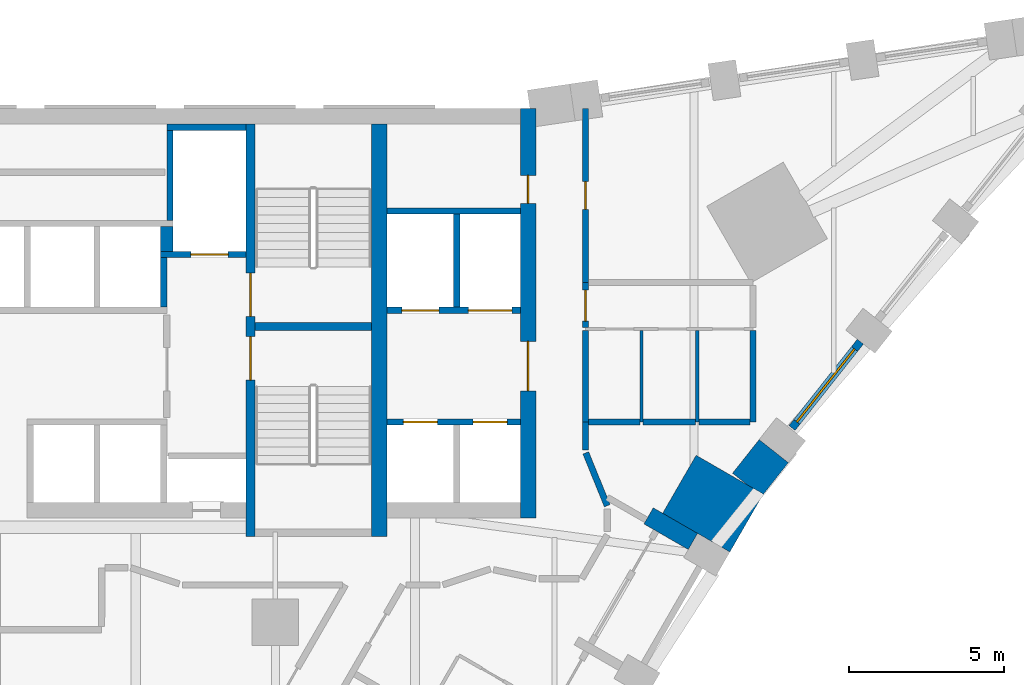
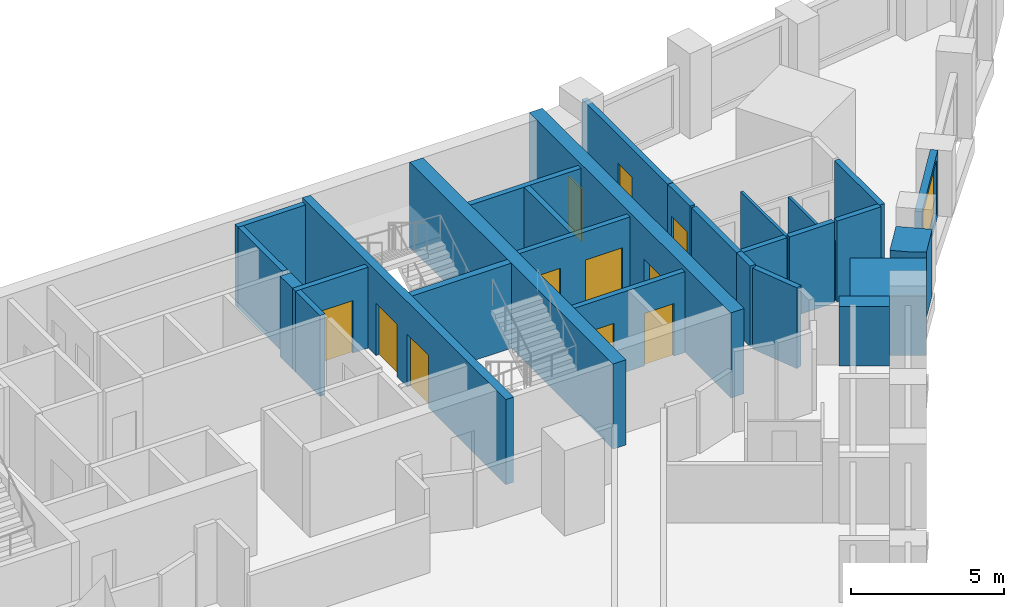
# One storey, part 8 of 11: 28 walls, 11 doors, 1 window, 12 openings.
"""IFC4 building model written with IfcOpenShell, lengths in metres."""

from ifc_helpers import new_model, si_unit, direction, frame, frame_2d, origin, place, context, subcontext, project, spatial, polyline, rectangle, outline, extrude, material, layer, layer_set, type_object, element, fill, save


model = new_model("IFC4")

# Units and contexts
model_context = context("Model", 3, precision=1e-05, world=origin(), true_north=direction((0.0, 1.0)))
body_context = subcontext(model_context, "Body", "Model", "MODEL_VIEW")
ifc_project = project(units=[si_unit("LENGTHUNIT", "METRE"), si_unit("AREAUNIT", "SQUARE_METRE"), si_unit("VOLUMEUNIT", "CUBIC_METRE"), si_unit("PLANEANGLEUNIT", "RADIAN"), si_unit("MASSUNIT", "GRAM", prefix="KILO")], contexts=[model_context])

# Site, building, storey
site_placement = place(None, origin())
site = spatial("IfcSite", under=ifc_project, at=site_placement, CompositionType="ELEMENT")
building_placement = place(site_placement, origin())
building = spatial("IfcBuilding", under=site, at=building_placement, Name="Calabash Gate Tower", CompositionType="ELEMENT")
storey_placement = place(building_placement, frame((0.0, 0.0, 129.199951171875)))
storey = spatial("IfcBuildingStorey", under=building, at=storey_placement, Name="L30", CompositionType="ELEMENT", Elevation=129.199951171875)

# Walls
ifc_material_1 = material(Name="Terracotta brick masonry, exposed face", Category="masonry")
ifc_layer_1 = layer(ifc_material_1, 2.5)
ifc_layer_set_1 = layer_set([ifc_layer_1], Name="Brick corner mass wall 2500")
wall_type_1 = type_object("IfcWallType", Name="Brick corner mass wall 2500", PredefinedType="SOLIDWALL", material=ifc_layer_set_1)
wall_1_placement = place(storey_placement, origin())
element("IfcWall", 1, at=wall_1_placement, inside=storey, type_object=wall_type_1, Name="Brick corner pier S08 2", PredefinedType="SOLIDWALL", context=body_context, shape_type="SweptSolid", body=[
    extrude(outline(polyline([(22.564697265625, 7.878173828125), (21.486083984375, 6.01025390625), (22.612060546875, 5.360107421875), (22.6123046875, 5.360595703125), (23.651611328125, 4.7607421875), (24.729736328125, 6.628173828125), (22.564697265625, 7.878173828125)])), origin(), (0.0, 0.0, 1.0), 2.384033203125),
])
ifc_material_2 = material(Name="Terracotta brick masonry, exposed face", Category="masonry")
ifc_layer_2 = layer(ifc_material_2, 1.199951171875)
ifc_layer_set_2 = layer_set([ifc_layer_2], Name="Brick end wall 1200")
wall_type_2 = type_object("IfcWallType", Name="Brick end wall 1200", PredefinedType="SOLIDWALL", material=ifc_layer_set_2)
wall_2_placement = place(storey_placement, origin())
element("IfcWall", 2, at=wall_2_placement, inside=storey, type_object=wall_type_2, Name="Brick end wall S08 1", PredefinedType="SOLIDWALL", context=body_context, shape_type="SweptSolid", body=[
    extrude(outline(polyline([(24.5966796875, 8.38427734375), (23.739501953125, 7.30029296875), (24.2099609375, 6.92822265625), (24.729736328125, 6.628173828125), (24.707763671875, 6.59033203125), (25.537841796875, 7.639892578125), (24.5966796875, 8.38427734375)])), origin(), (0.0, 0.0, 1.0), 2.630126953125),
])
ifc_material_3 = material(Name="Terracotta brick masonry, exposed face", Category="masonry")
ifc_layer_3 = layer(ifc_material_3, 0.300048828125)
ifc_layer_set_3 = layer_set([ifc_layer_3], Name="Brick loggia cheek wall 300")
wall_type_3 = type_object("IfcWallType", Name="Brick loggia cheek wall 300", PredefinedType="SOLIDWALL", material=ifc_layer_set_3)
wall_3_placement = place(storey_placement, frame((21.032958984375, 5.92529296875, 0.0), z_axis=(0.0, 0.0, 1.0), x_axis=(0.866040211805, -0.499974350878, 0.0)))
element("IfcWall", 3, at=wall_3_placement, inside=storey, type_object=wall_type_3, Name="Loggia cheek S08 SE2.8", PredefinedType="SOLIDWALL", context=body_context, shape_type="SweptSolid", body=[
    extrude(rectangle(XDim=1.64990234375, YDim=0.60009765625, at=frame_2d((0.824951171875, 0.0))), origin(), (0.0, 0.0, 1.0), 2.384033203125),
])
ifc_material_4 = material(Name="Concrete C80/95", Category="concrete")
ifc_layer_4 = layer(ifc_material_4, 0.25)
ifc_layer_set_4 = layer_set([ifc_layer_4], Name="Core wall 250 Concrete C80/95")
wall_type_4 = type_object("IfcWallType", Name="Core wall 250 Concrete C80/95", PredefinedType="SHEAR", material=ifc_layer_set_4)
wall_4_placement = place(storey_placement, frame((8.35009765625, 12.027587890625, 0.0), z_axis=(0.0, 0.0, 1.0), x_axis=(1.0, 0.0, 0.0)))
element("IfcWall", 4, at=wall_4_placement, inside=storey, type_object=wall_type_4, Name="Core wall Z2-MIDE L30", PredefinedType="SHEAR", context=body_context, shape_type="SweptSolid", body=[
    extrude(rectangle(XDim=3.75, YDim=0.25, at=frame_2d((1.875, 0.0))), origin(), (0.0, 0.0, 1.0), 3.400146484375),
])

# Wall, openings, doors
ifc_material_5 = material(Name="Concrete C80/95", Category="concrete")
ifc_layer_5 = layer(ifc_material_5, 0.300048828125)
ifc_layer_set_5 = layer_set([ifc_layer_5], Name="Core wall 300 Concrete C80/95")
wall_type_5 = type_object("IfcWallType", Name="Core wall 300 Concrete C80/95", PredefinedType="SHEAR", material=ifc_layer_set_5)
wall_5_placement = place(storey_placement, frame((8.199951171875, 5.252685546875, 0.0), z_axis=(0.0, 0.0, 1.0), x_axis=(0.0, 1.0, 0.0)))
wall_5 = element("IfcWall", 5, at=wall_5_placement, inside=storey, type_object=wall_type_5, Name="Core wall Z2-PARTE L30", PredefinedType="SHEAR", context=body_context, shape_type="SweptSolid", body=[
    extrude(rectangle(XDim=13.2998046875, YDim=0.300048828125, at=frame_2d((6.64990234375, 0.0))), origin(), (0.0, 0.0, 1.0), 3.400146484375),
])
opening_1_placement = place(wall_5_placement, frame((7.10009765625, 0.0, 0.0)))
opening_1 = element("IfcOpeningElement", 6, at=opening_1_placement, cuts=wall_5, Name="Opening H8-015", PredefinedType="OPENING", context=body_context, shape_type="SweptSolid", body=[
    extrude(rectangle(XDim=1.39990234375, YDim=2.10009765625, at=frame_2d((0.699951171875, 1.050048828125))), frame((0.0, 0.159912109375, 0.0), z_axis=(0.0, -1.0, 0.0), x_axis=(1.0, 0.0, 0.0)), (0.0, 0.0, 1.0), 0.320068359375),
])
opening_2_placement = place(wall_5_placement, frame((5.050048828125, 0.0, 0.0)))
opening_2 = element("IfcOpeningElement", 7, at=opening_2_placement, cuts=wall_5, Name="Opening H8-016", PredefinedType="OPENING", context=body_context, shape_type="SweptSolid", body=[
    extrude(rectangle(XDim=1.39990234375, YDim=2.10009765625, at=frame_2d((0.699951171875, 1.050048828125))), frame((0.0, 0.159912109375, 0.0), z_axis=(0.0, -1.0, 0.0), x_axis=(1.0, 0.0, 0.0)), (0.0, 0.0, 1.0), 0.320068359375),
])
ifc_material_6 = material(Name="Steel fire door set with fire-resisting glazing", Category="steel")
door_type_1 = type_object("IfcDoorType", Name="Fire door D05 1400x2100 FD90", OperationType="NOTDEFINED", PredefinedType="DOOR", material=ifc_material_6)
door_1_placement = place(opening_1_placement, origin())
door_1 = element("IfcDoor", 8, at=door_1_placement, inside=storey, type_object=door_type_1, Name="Exit stair door ST3", OperationType="SINGLE_SWING_RIGHT", OverallHeight=2.10009765625, OverallWidth=1.39990234375, PredefinedType="DOOR", context=body_context, shape_type="SweptSolid", body=[
    extrude(rectangle(XDim=1.39990234375, YDim=2.10009765625, at=frame_2d((0.699951171875, 1.050048828125))), frame((0.0, 0.02490234375, 0.0), z_axis=(0.0, -1.0, 0.0), x_axis=(1.0, 0.0, 0.0)), (0.0, 0.0, 1.0), 0.050048828125),
])
fill(opening_1, door_1)
door_2_placement = place(opening_2_placement, origin())
door_2 = element("IfcDoor", 9, at=door_2_placement, inside=storey, type_object=door_type_1, Name="Exit stair door ST4", OperationType="SINGLE_SWING_LEFT", OverallHeight=2.10009765625, OverallWidth=1.39990234375, PredefinedType="DOOR", context=body_context, shape_type="SweptSolid", body=[
    extrude(rectangle(XDim=1.39990234375, YDim=2.10009765625, at=frame_2d((0.699951171875, 1.050048828125))), frame((0.0, 0.02490234375, 0.0), z_axis=(0.0, -1.0, 0.0), x_axis=(1.0, 0.0, 0.0)), (0.0, 0.0, 1.0), 0.050048828125),
])
fill(opening_2, door_2)

# Wall
ifc_material_7 = material(Name="Concrete C80/95", Category="concrete")
ifc_layer_6 = layer(ifc_material_7, 0.5)
ifc_layer_set_6 = layer_set([ifc_layer_6], Name="Core wall 500 Concrete C80/95")
wall_type_6 = type_object("IfcWallType", Name="Core wall 500 Concrete C80/95", PredefinedType="SHEAR", material=ifc_layer_set_6)
wall_6_placement = place(storey_placement, frame((12.35009765625, 5.252685546875, 0.0), z_axis=(0.0, 0.0, 1.0), x_axis=(0.0, 1.0, 0.0)))
element("IfcWall", 10, at=wall_6_placement, inside=storey, type_object=wall_type_6, Name="Core wall Z2-COLE L30", PredefinedType="SHEAR", context=body_context, shape_type="SweptSolid", body=[
    extrude(rectangle(XDim=13.2998046875, YDim=0.5, at=frame_2d((6.64990234375, 0.0))), origin(), (0.0, 0.0, 1.0), 3.400146484375),
])

# Wall, openings, doors
wall_7_placement = place(storey_placement, frame((17.14990234375, 5.8525390625, 0.0), z_axis=(0.0, 0.0, 1.0), x_axis=(0.0, 1.0, 0.0)))
wall_7 = element("IfcWall", 11, at=wall_7_placement, inside=storey, type_object=wall_type_6, Name="Core wall Z2-ENDE L30", PredefinedType="SHEAR", context=body_context, shape_type="SweptSolid", body=[
    extrude(rectangle(XDim=13.199951171875, YDim=0.5, at=frame_2d((6.60009765625, 0.0))), origin(), (0.0, 0.0, 1.0), 3.400146484375),
])
opening_3_placement = place(wall_7_placement, frame((4.10009765625, 0.0, 0.0)))
opening_3 = element("IfcOpeningElement", 12, at=opening_3_placement, cuts=wall_7, Name="Opening H8-002", PredefinedType="OPENING", context=body_context, shape_type="SweptSolid", body=[
    extrude(rectangle(XDim=1.60009765625, YDim=2.10009765625, at=frame_2d((0.800048828125, 1.050048828125))), frame((0.0, 0.260009765625, 0.0), z_axis=(0.0, -1.0, 0.0), x_axis=(1.0, 0.0, 0.0)), (0.0, 0.0, 1.0), 0.52001953125),
])
opening_4_placement = place(wall_7_placement, frame((10.14990234375, 0.0, 0.0)))
opening_4 = element("IfcOpeningElement", 13, at=opening_4_placement, cuts=wall_7, Name="Opening H8-001", PredefinedType="OPENING", context=body_context, shape_type="SweptSolid", body=[
    extrude(rectangle(XDim=0.89990234375, YDim=2.10009765625, at=frame_2d((0.449951171875, 1.050048828125))), frame((0.0, 0.260009765625, 0.0), z_axis=(0.0, -1.0, 0.0), x_axis=(1.0, 0.0, 0.0)), (0.0, 0.0, 1.0), 0.52001953125),
])
ifc_material_8 = material(Name="Steel fire door set with fire-resisting glazing", Category="steel")
door_type_2 = type_object("IfcDoorType", Name="Double fire door D08 1600x2100 FD60", OperationType="DOUBLE_DOOR_SINGLE_SWING", PredefinedType="DOOR", material=ifc_material_8)
door_3_placement = place(opening_3_placement, origin())
door_3 = element("IfcDoor", 14, at=door_3_placement, inside=storey, type_object=door_type_2, Name="Low-rise Lift Lobby E door", OperationType="DOUBLE_DOOR_SINGLE_SWING", OverallHeight=2.10009765625, OverallWidth=1.60009765625, PredefinedType="DOOR", context=body_context, shape_type="SweptSolid", body=[
    extrude(rectangle(XDim=1.60009765625, YDim=2.10009765625, at=frame_2d((0.800048828125, 1.050048828125))), frame((0.0, 0.02490234375, 0.0), z_axis=(0.0, -1.0, 0.0), x_axis=(1.0, 0.0, 0.0)), (0.0, 0.0, 1.0), 0.050048828125),
])
fill(opening_3, door_3)
ifc_material_9 = material(Name="Steel fire door set with fire-resisting glazing", Category="steel")
door_type_3 = type_object("IfcDoorType", Name="Fire door D06 900x2100 FD60", OperationType="NOTDEFINED", PredefinedType="DOOR", material=ifc_material_9)
door_4_placement = place(opening_4_placement, origin())
door_4 = element("IfcDoor", 15, at=door_4_placement, inside=storey, type_object=door_type_3, Name="Luggage Store door", OperationType="SINGLE_SWING_LEFT", OverallHeight=2.10009765625, OverallWidth=0.89990234375, PredefinedType="DOOR", context=body_context, shape_type="SweptSolid", body=[
    extrude(rectangle(XDim=0.89990234375, YDim=2.10009765625, at=frame_2d((0.449951171875, 1.050048828125))), frame((0.0, 0.02490234375, 0.0), z_axis=(0.0, -1.0, 0.0), x_axis=(1.0, 0.0, 0.0)), (0.0, 0.0, 1.0), 0.050048828125),
])
fill(opening_4, door_4)

# Walls
ifc_material_10 = material(Name="Gypsum board on steel studs, mineral wool", Category="steel")
ifc_layer_7 = layer(ifc_material_10, 0.10009765625)
ifc_layer_set_7 = layer_set([ifc_layer_7], Name="Partition 100 gypsum board")
wall_type_7 = type_object("IfcWallType", Name="Partition 100 gypsum board", PredefinedType="PARTITIONING", material=ifc_layer_set_7)
wall_8_placement = place(storey_placement, frame((20.80029296875, 8.952880859375, 0.0), z_axis=(0.0, 0.0, 1.0), x_axis=(0.000579710048, 0.999999831968, 0.0)))
element("IfcWall", 16, at=wall_8_placement, inside=storey, type_object=wall_type_7, Name="Partition", PredefinedType="PARTITIONING", context=body_context, shape_type="SweptSolid", body=[
    extrude(rectangle(XDim=2.947998046875, YDim=0.10009765625, at=frame_2d((1.47412109375, 0.0))), origin(), (0.0, 0.0, 1.0), 3.22998046875),
])
wall_9_placement = place(storey_placement, frame((22.60009765625, 8.952880859375, 0.0), z_axis=(0.0, 0.0, 1.0), x_axis=(0.000662525735, 0.99999978053, 0.0)))
element("IfcWall", 17, at=wall_9_placement, inside=storey, type_object=wall_type_7, Name="Partition", PredefinedType="PARTITIONING", context=body_context, shape_type="SweptSolid", body=[
    extrude(rectangle(XDim=2.947998046875, YDim=0.10009765625, at=frame_2d((1.47412109375, 0.0))), origin(), (0.0, 0.0, 1.0), 2.384033203125),
])
ifc_material_11 = material(Name="Gypsum board on steel studs, mineral wool", Category="steel")
ifc_layer_8 = layer(ifc_material_11, 0.199951171875)
ifc_layer_set_8 = layer_set([ifc_layer_8], Name="Partition 200 gypsum board EI 60")
wall_type_8 = type_object("IfcWallType", Name="Partition 200 gypsum board EI 60", PredefinedType="PARTITIONING", material=ifc_layer_set_8)
wall_10_placement = place(storey_placement, frame((19.00732421875, 7.955322265625, 0.0), z_axis=(0.0, 0.0, 1.0), x_axis=(0.377039539336, -0.926197163555, 0.0)))
element("IfcWall", 18, at=wall_10_placement, inside=storey, type_object=wall_type_8, Name="Partition", PredefinedType="PARTITIONING", context=body_context, shape_type="SweptSolid", body=[
    extrude(rectangle(XDim=1.83837890625, YDim=0.199951171875, at=frame_2d((0.919189453125, 0.0))), origin(), (0.0, 0.0, 1.0), 3.22998046875),
])
wall_11_placement = place(storey_placement, frame((19.000732421875, 8.052734375, 0.0), z_axis=(0.0, 0.0, 1.0), x_axis=(0.001356850854, 0.999999079477, 0.0)))
element("IfcWall", 19, at=wall_11_placement, inside=storey, type_object=wall_type_8, Name="Partition", PredefinedType="PARTITIONING", context=body_context, shape_type="SweptSolid", body=[
    extrude(rectangle(XDim=0.899658203125, YDim=0.199951171875, at=frame_2d((0.44970703125, 0.0))), origin(), (0.0, 0.0, 1.0), 3.22998046875),
])
wall_12_placement = place(storey_placement, frame((19.10009765625, 8.952880859375, 0.0), z_axis=(0.0, 0.0, 1.0), x_axis=(0.999999605873, 0.000887836288, 0.0)))
element("IfcWall", 20, at=wall_12_placement, inside=storey, type_object=wall_type_8, Name="Partition", PredefinedType="PARTITIONING", context=body_context, shape_type="SweptSolid", body=[
    extrude(rectangle(XDim=1.64990234375, YDim=0.199951171875, at=frame_2d((0.824951171875, 0.0))), origin(), (0.0, 0.0, 1.0), 3.22998046875),
])
wall_13_placement = place(storey_placement, frame((20.85009765625, 8.952880859375, 0.0), z_axis=(0.0, 0.0, 1.0), x_axis=(0.999999628739, 0.000861697224, 0.0)))
element("IfcWall", 21, at=wall_13_placement, inside=storey, type_object=wall_type_8, Name="Partition", PredefinedType="PARTITIONING", context=body_context, shape_type="SweptSolid", body=[
    extrude(rectangle(XDim=1.699951171875, YDim=0.199951171875, at=frame_2d((0.85009765625, 0.0))), origin(), (0.0, 0.0, 1.0), 3.22998046875),
])
wall_14_placement = place(storey_placement, frame((22.650146484375, 8.952880859375, 0.0), z_axis=(0.0, 0.0, 1.0), x_axis=(1.0, 0.0, 0.0)))
element("IfcWall", 22, at=wall_14_placement, inside=storey, type_object=wall_type_8, Name="Partition", PredefinedType="PARTITIONING", context=body_context, shape_type="SweptSolid", body=[
    extrude(rectangle(XDim=1.64990234375, YDim=0.199951171875, at=frame_2d((0.824951171875, 0.0))), origin(), (0.0, 0.0, 1.0), 3.22998046875),
])
for number, where, z_axis, x_axis, name in (
    (23, (24.398193359375, 11.902587890625, 0.0), (0.0, 0.0, 1.0), (0.000579374179, -0.999999832163, 0.0), "Partition"),
    (24, (19.000244140625, 8.952880859375, 0.0), (0.0, 0.0, 1.0), (0.000579374179, 0.999999832163, 0.0), "Partition"),
):
    element("IfcWall", number, at=place(storey_placement, frame(where, z_axis=z_axis, x_axis=x_axis)), inside=storey, type_object=wall_type_8, Name=name, PredefinedType="PARTITIONING", context=body_context, shape_type="SweptSolid", body=[
        extrude(rectangle(XDim=2.94970703125, YDim=0.199951171875, at=frame_2d((1.474853515625, 0.0))), origin(), (0.0, 0.0, 1.0), 3.22998046875),
    ])

# Wall, opening, door
wall_15_placement = place(storey_placement, frame((19.00048828125, 19.052490234375, 0.0), z_axis=(0.0, 0.0, 1.0), x_axis=(0.000261608886, -0.99999996578, 0.0)))
wall_15 = element("IfcWall", 25, at=wall_15_placement, inside=storey, type_object=wall_type_8, Name="Partition", PredefinedType="PARTITIONING", context=body_context, shape_type="SweptSolid", body=[
    extrude(rectangle(XDim=5.599365234375, YDim=0.199951171875, at=frame_2d((2.7998046875, 0.0))), origin(), (0.0, 0.0, 1.0), 3.22998046875),
])
opening_5_placement = place(wall_15_placement, frame((2.349853515625, 0.0, 0.0)))
opening_5 = element("IfcOpeningElement", 26, at=opening_5_placement, cuts=wall_15, Name="Opening 28-30-022", PredefinedType="OPENING", context=body_context, shape_type="SweptSolid", body=[
    extrude(rectangle(XDim=0.89990234375, YDim=2.10009765625, at=frame_2d((0.449951171875, 1.050048828125))), frame((0.0, 0.10986328125, 0.0), z_axis=(0.0, -1.0, 0.0), x_axis=(1.0, 0.0, 0.0)), (0.0, 0.0, 1.0), 0.219970703125),
])
ifc_material_12 = material(Name="Steel fire door set with fire-resisting glazing", Category="steel")
door_type_4 = type_object("IfcDoorType", Name="SD3 Store door 900x2100", OperationType="NOTDEFINED", PredefinedType="DOOR", material=ifc_material_12)
door_5_placement = place(opening_5_placement, origin())
door_5 = element("IfcDoor", 27, at=door_5_placement, inside=storey, type_object=door_type_4, Name="Store door", OperationType="SINGLE_SWING_RIGHT", OverallHeight=2.10009765625, OverallWidth=0.89990234375, PredefinedType="DOOR", context=body_context, shape_type="SweptSolid", body=[
    extrude(rectangle(XDim=0.89990234375, YDim=2.10009765625, at=frame_2d((0.449951171875, 1.050048828125))), frame((0.0, 0.02490234375, 0.0), z_axis=(0.0, -1.0, 0.0), x_axis=(1.0, 0.0, 0.0)), (0.0, 0.0, 1.0), 0.050048828125),
])
fill(opening_5, door_5)

wall_16_placement = place(storey_placement, frame((19.000244140625, 12.002685546875, 0.0), z_axis=(0.0, 0.0, 1.0), x_axis=(0.001179840743, 0.999999303988, 0.0)))
wall_16 = element("IfcWall", 28, at=wall_16_placement, inside=storey, type_object=wall_type_8, Name="Partition", PredefinedType="PARTITIONING", context=body_context, shape_type="SweptSolid", body=[
    extrude(rectangle(XDim=1.448486328125, YDim=0.199951171875, at=frame_2d((0.72412109375, 0.0))), origin(), (0.0, 0.0, 1.0), 3.22998046875),
])
opening_6_placement = place(wall_16_placement, frame((0.199951171875, 0.0, 0.0)))
opening_6 = element("IfcOpeningElement", 29, at=opening_6_placement, cuts=wall_16, Name="Opening 28-30-016", PredefinedType="OPENING", context=body_context, shape_type="SweptSolid", body=[
    extrude(rectangle(XDim=1.0, YDim=2.10009765625, at=frame_2d((0.5, 1.050048828125))), frame((0.0, 0.10986328125, 0.0), z_axis=(0.0, -1.0, 0.0), x_axis=(1.0, 0.0, 0.0)), (0.0, 0.0, 1.0), 0.219970703125),
])
ifc_material_13 = material(Name="Steel fire door set with fire-resisting glazing", Category="steel")
door_type_5 = type_object("IfcDoorType", Name="WD3 WC lobby door 1000x2100", OperationType="NOTDEFINED", PredefinedType="DOOR", material=ifc_material_13)
door_6_placement = place(opening_6_placement, origin())
door_6 = element("IfcDoor", 30, at=door_6_placement, inside=storey, type_object=door_type_5, Name="WC lobby door", OperationType="SINGLE_SWING_RIGHT", OverallHeight=2.10009765625, OverallWidth=1.0, PredefinedType="DOOR", context=body_context, shape_type="SweptSolid", body=[
    extrude(rectangle(XDim=1.0, YDim=2.10009765625, at=frame_2d((0.5, 1.050048828125))), frame((0.0, 0.02490234375, 0.0), z_axis=(0.0, -1.0, 0.0), x_axis=(1.0, 0.0, 0.0)), (0.0, 0.0, 1.0), 0.050048828125),
])
fill(opening_6, door_6)

# Wall, opening, window
ifc_material_14 = material(Name="Aluminium framed window wall with insulated spandrel", Category="aluminium")
ifc_layer_9 = layer(ifc_material_14, 0.25)
ifc_layer_set_9 = layer_set([ifc_layer_9], Name="Prow window wall 250")
wall_type_9 = type_object("IfcWallType", Name="Prow window wall 250", PredefinedType="ELEMENTEDWALL", material=ifc_layer_set_9)
wall_17_placement = place(storey_placement, frame((25.656494140625, 8.757080078125, 0.0), z_axis=(0.0, 0.0, 1.0), x_axis=(0.620301477136, 0.784363485549, 0.0)))
wall_17 = element("IfcWall", 31, at=wall_17_placement, inside=storey, type_object=wall_type_9, Name="Prow window wall S08 wedge3.1", PredefinedType="ELEMENTEDWALL", context=body_context, shape_type="SweptSolid", body=[
    extrude(rectangle(XDim=3.552001953125, YDim=0.25, at=frame_2d((1.77587890625, 0.0))), origin(), (0.0, 0.0, 1.0), 2.630126953125),
])
opening_7_placement = place(wall_17_placement, frame((0.25, 0.0, 0.300048828125)))
opening_7 = element("IfcOpeningElement", 32, at=opening_7_placement, cuts=wall_17, Name="Opening WP1L-2130", PredefinedType="OPENING", context=body_context, shape_type="SweptSolid", body=[
    extrude(rectangle(XDim=3.0, YDim=2.1298828125, at=frame_2d((1.5, 1.06494140625))), frame((0.0, 0.135009765625, 0.0), z_axis=(0.0, -1.0, 0.0), x_axis=(1.0, 0.0, 0.0)), (0.0, 0.0, 1.0), 0.27001953125),
])
ifc_material_15 = material(Name="Anodised aluminium frame, bronze finish, impact-rated laminated clear glazing", Category="aluminium")
window_type = type_object("IfcWindowType", Name="Window WP1L 3000x2130", PartitioningType="DOUBLE_PANEL_VERTICAL", PredefinedType="WINDOW", material=ifc_material_15)
window_placement = place(opening_7_placement, origin())
window = element("IfcWindow", 33, at=window_placement, inside=storey, type_object=window_type, Name="Prow window WP1L S08 wedge3.1", OverallHeight=2.1298828125, OverallWidth=3.0, PartitioningType="SINGLE_PANEL", PredefinedType="WINDOW", context=body_context, shape_type="SweptSolid", body=[
    extrude(rectangle(XDim=3.0, YDim=2.1298828125, at=frame_2d((1.5, 1.06494140625))), frame((0.0, 0.030029296875, 0.0), z_axis=(0.0, -1.0, 0.0), x_axis=(1.0, 0.0, 0.0)), (0.0, 0.0, 1.0), 0.06005859375),
])
fill(opening_7, window)

# Wall, openings, doors
ifc_material_16 = material(Name="Concrete C40/50", Category="concrete")
ifc_layer_10 = layer(ifc_material_16, 0.199951171875)
ifc_layer_set_10 = layer_set([ifc_layer_10], Name="Shaft wall 200 Concrete C40/50")
wall_type_10 = type_object("IfcWallType", Name="Shaft wall 200 Concrete C40/50", PredefinedType="SOLIDWALL", material=ifc_layer_set_10)
wall_18_placement = place(storey_placement, frame((12.60009765625, 8.95263671875, 0.0), z_axis=(0.0, 0.0, 1.0), x_axis=(1.0, 0.0, 0.0)))
wall_18 = element("IfcWall", 34, at=wall_18_placement, inside=storey, type_object=wall_type_10, Name="Shaft wall", PredefinedType="SOLIDWALL", context=body_context, shape_type="SweptSolid", body=[
    extrude(rectangle(XDim=4.2998046875, YDim=0.199951171875, at=frame_2d((2.14990234375, 0.0))), origin(), (0.0, 0.0, 1.0), 3.22998046875),
])
opening_8_placement = place(wall_18_placement, frame((0.52490234375, 0.0, 0.0)))
opening_8 = element("IfcOpeningElement", 35, at=opening_8_placement, cuts=wall_18, Name="Opening LD-LR5", PredefinedType="OPENING", context=body_context, shape_type="SweptSolid", body=[
    extrude(rectangle(XDim=1.10009765625, YDim=2.10009765625, at=frame_2d((0.550048828125, 1.050048828125))), frame((0.0, 0.10986328125, 0.0), z_axis=(0.0, -1.0, 0.0), x_axis=(1.0, 0.0, 0.0)), (0.0, 0.0, 1.0), 0.219970703125),
])
opening_9_placement = place(wall_18_placement, frame((2.77490234375, 0.0, 0.0)))
opening_9 = element("IfcOpeningElement", 36, at=opening_9_placement, cuts=wall_18, Name="Opening LD-LR6", PredefinedType="OPENING", context=body_context, shape_type="SweptSolid", body=[
    extrude(rectangle(XDim=1.10009765625, YDim=2.10009765625, at=frame_2d((0.550048828125, 1.050048828125))), frame((0.0, 0.10986328125, 0.0), z_axis=(0.0, -1.0, 0.0), x_axis=(1.0, 0.0, 0.0)), (0.0, 0.0, 1.0), 0.219970703125),
])
ifc_material_17 = material(Name="Stainless steel sliding door leaves", Category="steel")
door_type_6 = type_object("IfcDoorType", Name="Lift landing door LS1 1100x2100 FD90", OperationType="DOUBLE_DOOR_SLIDING", PredefinedType="DOOR", material=ifc_material_17)
door_7_placement = place(opening_8_placement, origin())
door_7 = element("IfcDoor", 37, at=door_7_placement, inside=storey, type_object=door_type_6, Name="Lift landing door LR5", OperationType="DOUBLE_DOOR_SLIDING", OverallHeight=2.10009765625, OverallWidth=1.10009765625, PredefinedType="DOOR", context=body_context, shape_type="SweptSolid", body=[
    extrude(rectangle(XDim=1.10009765625, YDim=2.10009765625, at=frame_2d((0.550048828125, 1.050048828125))), frame((0.0, 0.02490234375, 0.0), z_axis=(0.0, -1.0, 0.0), x_axis=(1.0, 0.0, 0.0)), (0.0, 0.0, 1.0), 0.050048828125),
])
fill(opening_8, door_7)
door_8_placement = place(opening_9_placement, origin())
door_8 = element("IfcDoor", 38, at=door_8_placement, inside=storey, type_object=door_type_6, Name="Lift landing door LR6", OperationType="DOUBLE_DOOR_SLIDING", OverallHeight=2.10009765625, OverallWidth=1.10009765625, PredefinedType="DOOR", context=body_context, shape_type="SweptSolid", body=[
    extrude(rectangle(XDim=1.10009765625, YDim=2.10009765625, at=frame_2d((0.550048828125, 1.050048828125))), frame((0.0, 0.02490234375, 0.0), z_axis=(0.0, -1.0, 0.0), x_axis=(1.0, 0.0, 0.0)), (0.0, 0.0, 1.0), 0.050048828125),
])
fill(opening_9, door_8)

wall_19_placement = place(storey_placement, frame((12.60009765625, 12.552490234375, 0.0), z_axis=(0.0, 0.0, 1.0), x_axis=(1.0, 0.0, 0.0)))
wall_19 = element("IfcWall", 39, at=wall_19_placement, inside=storey, type_object=wall_type_10, Name="Shaft wall", PredefinedType="SOLIDWALL", context=body_context, shape_type="SweptSolid", body=[
    extrude(rectangle(XDim=4.2998046875, YDim=0.199951171875, at=frame_2d((2.14990234375, 0.0))), origin(), (0.0, 0.0, 1.0), 3.22998046875),
])
opening_10_placement = place(wall_19_placement, frame((0.47509765625, 0.0, 0.0)))
opening_10 = element("IfcOpeningElement", 40, at=opening_10_placement, cuts=wall_19, Name="Opening LD-SL1", PredefinedType="OPENING", context=body_context, shape_type="SweptSolid", body=[
    extrude(rectangle(XDim=1.199951171875, YDim=2.10009765625, at=frame_2d((0.60009765625, 1.050048828125))), frame((0.0, 0.10986328125, 0.0), z_axis=(0.0, -1.0, 0.0), x_axis=(1.0, 0.0, 0.0)), (0.0, 0.0, 1.0), 0.219970703125),
])
opening_11_placement = place(wall_19_placement, frame((2.625, 0.0, 0.0)))
opening_11 = element("IfcOpeningElement", 41, at=opening_11_placement, cuts=wall_19, Name="Opening LD-GL1", PredefinedType="OPENING", context=body_context, shape_type="SweptSolid", body=[
    extrude(rectangle(XDim=1.39990234375, YDim=2.10009765625, at=frame_2d((0.699951171875, 1.050048828125))), frame((0.0, 0.10986328125, 0.0), z_axis=(0.0, -1.0, 0.0), x_axis=(1.0, 0.0, 0.0)), (0.0, 0.0, 1.0), 0.219970703125),
])
ifc_material_18 = material(Name="Stainless steel sliding door leaves", Category="steel")
door_type_7 = type_object("IfcDoorType", Name="Lift landing door LS3 1200x2100 FD90", OperationType="DOUBLE_DOOR_SLIDING", PredefinedType="DOOR", material=ifc_material_18)
door_9_placement = place(opening_10_placement, origin())
door_9 = element("IfcDoor", 42, at=door_9_placement, inside=storey, type_object=door_type_7, Name="Lift landing door SL1", OperationType="DOUBLE_DOOR_SLIDING", OverallHeight=2.10009765625, OverallWidth=1.199951171875, PredefinedType="DOOR", context=body_context, shape_type="SweptSolid", body=[
    extrude(rectangle(XDim=1.199951171875, YDim=2.10009765625, at=frame_2d((0.60009765625, 1.050048828125))), frame((0.0, 0.02490234375, 0.0), z_axis=(0.0, -1.0, 0.0), x_axis=(1.0, 0.0, 0.0)), (0.0, 0.0, 1.0), 0.050048828125),
])
fill(opening_10, door_9)
ifc_material_19 = material(Name="Stainless steel sliding door leaves", Category="steel")
door_type_8 = type_object("IfcDoorType", Name="Lift landing door LS4 1400x2100 FD90", OperationType="DOUBLE_DOOR_SLIDING", PredefinedType="DOOR", material=ifc_material_19)
door_10_placement = place(opening_11_placement, origin())
door_10 = element("IfcDoor", 43, at=door_10_placement, inside=storey, type_object=door_type_8, Name="Lift landing door GL1", OperationType="DOUBLE_DOOR_SLIDING", OverallHeight=2.10009765625, OverallWidth=1.39990234375, PredefinedType="DOOR", context=body_context, shape_type="SweptSolid", body=[
    extrude(rectangle(XDim=1.39990234375, YDim=2.10009765625, at=frame_2d((0.699951171875, 1.050048828125))), frame((0.0, 0.02490234375, 0.0), z_axis=(0.0, -1.0, 0.0), x_axis=(1.0, 0.0, 0.0)), (0.0, 0.0, 1.0), 0.050048828125),
])
fill(opening_11, door_10)

# Walls
wall_20_placement = place(storey_placement, frame((5.39990234375, 12.652587890625, 0.0), z_axis=(0.0, 0.0, 1.0), x_axis=(0.0, 1.0, 0.0)))
element("IfcWall", 44, at=wall_20_placement, inside=storey, type_object=wall_type_10, Name="Shaft wall", PredefinedType="SOLIDWALL", context=body_context, shape_type="SweptSolid", body=[
    extrude(rectangle(XDim=1.60009765625, YDim=0.199951171875, at=frame_2d((0.800048828125, 0.0))), origin(), (0.0, 0.0, 1.0), 3.22998046875),
])
wall_21_placement = place(storey_placement, frame((14.85009765625, 12.652587890625, 0.0), z_axis=(0.0, 0.0, 1.0), x_axis=(0.0, 1.0, 0.0)))
element("IfcWall", 45, at=wall_21_placement, inside=storey, type_object=wall_type_10, Name="Shaft wall", PredefinedType="SOLIDWALL", context=body_context, shape_type="SweptSolid", body=[
    extrude(rectangle(XDim=3.0, YDim=0.199951171875, at=frame_2d((1.5, 0.0))), origin(), (0.0, 0.0, 1.0), 3.22998046875),
])

# Wall, opening, door
wall_22_placement = place(storey_placement, frame((5.300048828125, 14.3525390625, 0.0), z_axis=(0.0, 0.0, 1.0), x_axis=(1.0, 0.0, 0.0)))
wall_22 = element("IfcWall", 46, at=wall_22_placement, inside=storey, type_object=wall_type_10, Name="Shaft wall", PredefinedType="SOLIDWALL", context=body_context, shape_type="SweptSolid", body=[
    extrude(rectangle(XDim=2.75, YDim=0.199951171875, at=frame_2d((1.375, 0.0))), origin(), (0.0, 0.0, 1.0), 3.22998046875),
])
opening_12_placement = place(wall_22_placement, frame((0.97509765625, 0.0, 0.0)))
opening_12 = element("IfcOpeningElement", 47, at=opening_12_placement, cuts=wall_22, Name="Opening LD-FF2", PredefinedType="OPENING", context=body_context, shape_type="SweptSolid", body=[
    extrude(rectangle(XDim=1.199951171875, YDim=2.10009765625, at=frame_2d((0.60009765625, 1.050048828125))), frame((0.0, 0.10986328125, 0.0), z_axis=(0.0, -1.0, 0.0), x_axis=(1.0, 0.0, 0.0)), (0.0, 0.0, 1.0), 0.219970703125),
])
door_11_placement = place(opening_12_placement, origin())
door_11 = element("IfcDoor", 48, at=door_11_placement, inside=storey, type_object=door_type_7, Name="Lift landing door FF2", OperationType="DOUBLE_DOOR_SLIDING", OverallHeight=2.10009765625, OverallWidth=1.199951171875, PredefinedType="DOOR", context=body_context, shape_type="SweptSolid", body=[
    extrude(rectangle(XDim=1.199951171875, YDim=2.10009765625, at=frame_2d((0.60009765625, 1.050048828125))), frame((0.0, 0.02490234375, 0.0), z_axis=(0.0, -1.0, 0.0), x_axis=(1.0, 0.0, 0.0)), (0.0, 0.0, 1.0), 0.050048828125),
])
fill(opening_12, door_11)

# Walls
wall_23_placement = place(storey_placement, frame((5.5, 14.45263671875, 0.0), z_axis=(0.0, 0.0, 1.0), x_axis=(0.0, 1.0, 0.0)))
element("IfcWall", 49, at=wall_23_placement, inside=storey, type_object=wall_type_10, Name="Shaft wall", PredefinedType="SOLIDWALL", context=body_context, shape_type="SweptSolid", body=[
    extrude(rectangle(XDim=0.800048828125, YDim=0.39990234375, at=frame_2d((0.39990234375, 0.0))), origin(), (0.0, 0.0, 1.0), 3.22998046875),
])
wall_24_placement = place(storey_placement, frame((5.60009765625, 15.45263671875, 0.0), z_axis=(0.0, 0.0, 1.0), x_axis=(0.0, 1.0, 0.0)))
element("IfcWall", 50, at=wall_24_placement, inside=storey, type_object=wall_type_10, Name="Shaft wall", PredefinedType="SOLIDWALL", context=body_context, shape_type="SweptSolid", body=[
    extrude(rectangle(XDim=2.89990234375, YDim=0.199951171875, at=frame_2d((1.449951171875, 0.0))), origin(), (0.0, 0.0, 1.0), 3.22998046875),
])
wall_25_placement = place(storey_placement, frame((12.60009765625, 15.752685546875, 0.0), z_axis=(0.0, 0.0, 1.0), x_axis=(1.0, 0.0, 0.0)))
element("IfcWall", 51, at=wall_25_placement, inside=storey, type_object=wall_type_10, Name="Shaft wall", PredefinedType="SOLIDWALL", context=body_context, shape_type="SweptSolid", body=[
    extrude(rectangle(XDim=4.2998046875, YDim=0.199951171875, at=frame_2d((2.14990234375, 0.0))), origin(), (0.0, 0.0, 1.0), 3.22998046875),
])
wall_26_placement = place(storey_placement, frame((5.5, 18.45263671875, 0.0), z_axis=(0.0, 0.0, 1.0), x_axis=(1.0, 0.0, 0.0)))
element("IfcWall", 52, at=wall_26_placement, inside=storey, type_object=wall_type_10, Name="Shaft wall", PredefinedType="SOLIDWALL", context=body_context, shape_type="SweptSolid", body=[
    extrude(rectangle(XDim=2.550048828125, YDim=0.199951171875, at=frame_2d((1.27490234375, 0.0))), origin(), (0.0, 0.0, 1.0), 3.22998046875),
])

save(model, "model.ifc")
